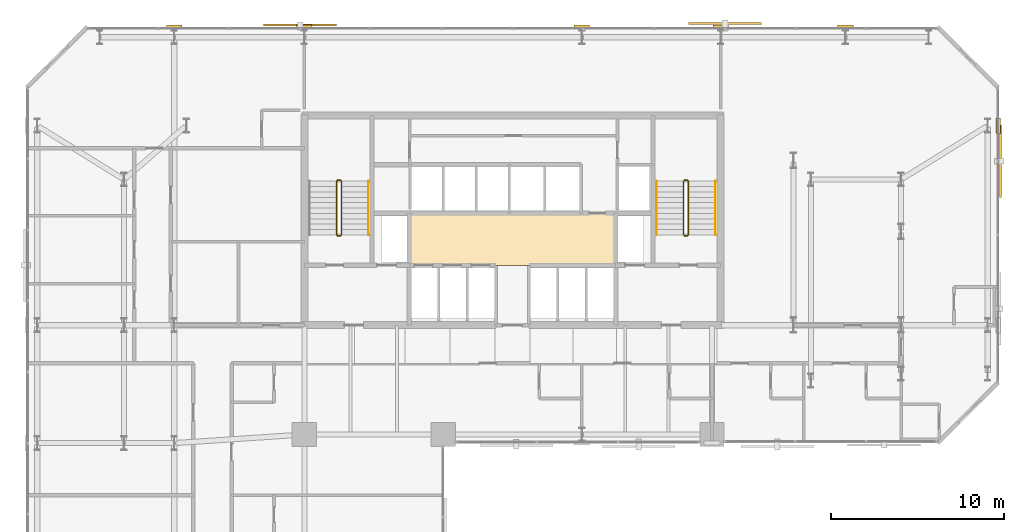
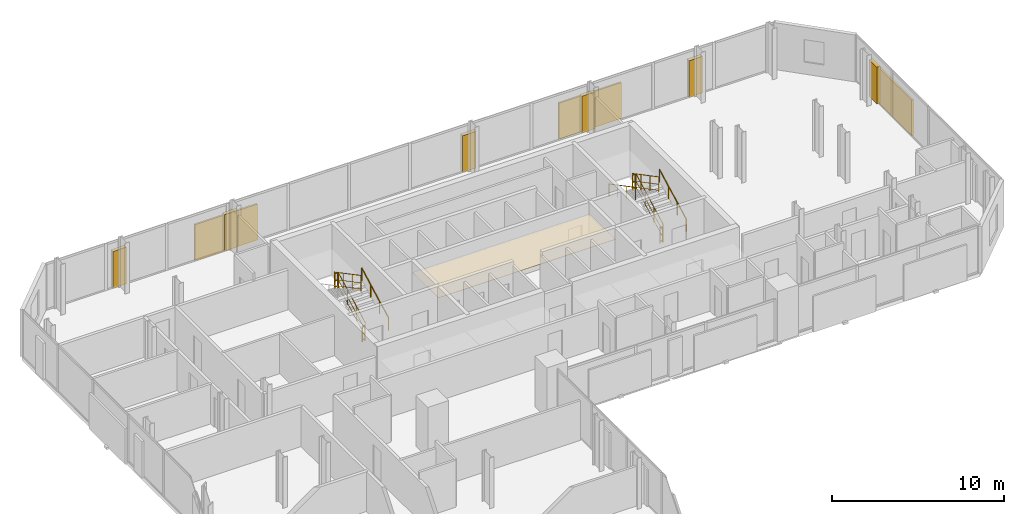
# One storey, part 32 of 32: 11 railings, 7 coverings, 3 shading devices.
"""IFC4 building model written with IfcOpenShell, lengths in metres."""

from ifc_helpers import new_model, si_unit, direction, frame, origin, origin_2d, place, context, subcontext, project, spatial, polyline, rectangle, circle, outline, extrude, material, layer, layer_set, type_object, element, save


model = new_model("IFC4")

# Units and contexts
model_context = context("Model", 3, precision=1e-05, world=origin(), true_north=direction((0.0, 1.0)))
body_context = subcontext(model_context, "Body", "Model", "MODEL_VIEW")
ifc_project = project(units=[si_unit("LENGTHUNIT", "METRE"), si_unit("AREAUNIT", "SQUARE_METRE"), si_unit("VOLUMEUNIT", "CUBIC_METRE"), si_unit("PLANEANGLEUNIT", "RADIAN"), si_unit("MASSUNIT", "GRAM", prefix="KILO")], contexts=[model_context])

# Site, building, storey
site_placement = place(None, origin())
site = spatial("IfcSite", under=ifc_project, at=site_placement, CompositionType="ELEMENT")
building_placement = place(site_placement, origin())
building = spatial("IfcBuilding", under=site, at=building_placement, Name="Catumbela Crestline Tower", CompositionType="ELEMENT")
storey_placement = place(building_placement, frame((0.0, 0.0, 61.8)))
storey = spatial("IfcBuildingStorey", under=building, at=storey_placement, Name="L15", CompositionType="ELEMENT", Elevation=61.8)

# Coverings
ifc_material_1 = material(Name="Mineral-fibre acoustic ceiling")
ifc_layer_1 = layer(ifc_material_1, 0.03, Name="Mineral-fibre acoustic ceiling")
ifc_layer_set_1 = layer_set([ifc_layer_1], Name="Mineral-fibre acoustic ceiling")
covering_type_1 = type_object("IfcCoveringType", Name="CC-AC", PredefinedType="CEILING", material=ifc_layer_set_1)
covering_placement = place(storey_placement, frame((0.0, 0.0, 2.65)))
element("IfcCovering", 1, at=covering_placement, inside=storey, type_object=covering_type_1, Name="L15 Lift Lobby Acoustic Ceiling", PredefinedType="CEILING", context=body_context, shape_type="SweptSolid", body=[
    extrude(outline(polyline([(22.05, 34.25), (33.95, 34.25), (33.95, 37.25), (22.05, 37.25), (22.05, 34.25)])), origin(), (0.0, 0.0, 1.0), 0.03),
])
ifc_material_2 = material(Name="Extruded terracotta ceramic", Category="masonry")
ifc_layer_2 = layer(ifc_material_2, 0.08, Name="Extruded terracotta ceramic")
ifc_layer_set_2 = layer_set([ifc_layer_2], Name="Extruded terracotta ceramic")
covering_type_2 = type_object("IfcCoveringType", Name="CC-TER", PredefinedType="CLADDING", material=ifc_layer_set_2)
for number, where, z_axis, x_axis, name in (
    (2, (56.0, 42.3, 0.0), (0.0, 0.0, 1.0), (0.0, 1.0, 0.0), "L15 Fluted Terracotta Column Cladding 70"),
    (3, (8.5, 48.0, 0.0), (0.0, 0.0, 1.0), (-1.0, 0.0, 0.0), "L15 Fluted Terracotta Column Cladding 71"),
    (4, (16.0, 48.0, 0.0), (0.0, 0.0, 1.0), (-1.0, 0.0, 0.0), "L15 Fluted Terracotta Column Cladding 72"),
    (5, (32.0, 48.0, 0.0), (0.0, 0.0, 1.0), (-1.0, 0.0, 0.0), "L15 Fluted Terracotta Column Cladding 73"),
    (6, (40.0, 48.0, 0.0), (0.0, 0.0, 1.0), (-1.0, 0.0, 0.0), "L15 Fluted Terracotta Column Cladding 74"),
    (7, (47.2, 48.0, 0.0), (0.0, 0.0, 1.0), (-1.0, 0.0, 0.0), "L15 Fluted Terracotta Column Cladding 75"),
):
    element("IfcCovering", number, at=place(storey_placement, frame(where, z_axis=z_axis, x_axis=x_axis)), inside=storey, type_object=covering_type_2, Name=name, PredefinedType="CLADDING", context=body_context, shape_type="SweptSolid", body=[
        extrude(rectangle(XDim=0.9, YDim=0.24, at=origin_2d()), origin(), (0.0, 0.0, 1.0), 2.6),
    ])

# Railings
ifc_material_3 = material(Name="Stainless steel EN 1.4401", Category="steel")
railing_type_1 = type_object("IfcRailingType", Name="RG-1100", PredefinedType="GUARDRAIL", material=ifc_material_3)
railing_1_placement = place(storey_placement, frame((18.14, 36.0, 0.1636)))
element("IfcRailing", 8, at=railing_1_placement, inside=storey, type_object=railing_type_1, Name="L15 ST-01 stair guard 1", PredefinedType="GUARDRAIL", context=body_context, shape_type="SweptSolid", body=[
    extrude(circle(Radius=0.024, at=origin_2d()), frame((0.0, 0.0, 1.076), z_axis=(0.0, 0.884350731049, 0.466823076222), x_axis=(-1.0, 0.0, 0.0)), (0.0, 0.0, 1.0), 3.5054),
    extrude(circle(Radius=0.0156, at=origin_2d()), frame((0.0, 0.0, 0.55), z_axis=(0.0, 0.884350731049, 0.466823076222), x_axis=(-1.0, 0.0, 0.0)), (0.0, 0.0, 1.0), 3.5054),
    extrude(circle(Radius=0.0156, at=origin_2d()), frame((0.0, 0.0, 0.12), z_axis=(0.0, 0.884350731049, 0.466823076222), x_axis=(-1.0, 0.0, 0.0)), (0.0, 0.0, 1.0), 3.5054),
    extrude(circle(Radius=0.021, at=origin_2d()), origin(), (0.0, 0.0, 1.0), 1.052),
    extrude(circle(Radius=0.021, at=origin_2d()), frame((0.0, 1.0333, 0.5455)), (0.0, 0.0, 1.0), 1.052),
    extrude(circle(Radius=0.021, at=origin_2d()), frame((0.0, 2.0667, 1.0909)), (0.0, 0.0, 1.0), 1.052),
    extrude(circle(Radius=0.021, at=origin_2d()), frame((0.0, 3.1, 1.6364)), (0.0, 0.0, 1.0), 1.052),
])
railing_2_placement = place(storey_placement, frame((18.09, 39.15, 1.8)))
element("IfcRailing", 9, at=railing_2_placement, inside=storey, type_object=railing_type_1, Name="L15 ST-01 stair guard 2", PredefinedType="GUARDRAIL", context=body_context, shape_type="SweptSolid", body=[
    extrude(circle(Radius=0.024, at=origin_2d()), frame((0.0, 0.0, 1.076), z_axis=(-1.0, 0.0, 0.0), x_axis=(0.0, -1.0, 0.0)), (0.0, 0.0, 1.0), 0.18),
    extrude(circle(Radius=0.0156, at=origin_2d()), frame((0.0, 0.0, 0.55), z_axis=(-1.0, 0.0, 0.0), x_axis=(0.0, -1.0, 0.0)), (0.0, 0.0, 1.0), 0.18),
    extrude(circle(Radius=0.0156, at=origin_2d()), frame((0.0, 0.0, 0.12), z_axis=(-1.0, 0.0, 0.0), x_axis=(0.0, -1.0, 0.0)), (0.0, 0.0, 1.0), 0.18),
    extrude(circle(Radius=0.021, at=origin_2d()), origin(), (0.0, 0.0, 1.0), 1.052),
    extrude(circle(Radius=0.021, at=origin_2d()), frame((-0.18, 0.0, 0.0)), (0.0, 0.0, 1.0), 1.052),
])
railing_3_placement = place(storey_placement, frame((17.86, 39.1, 1.9636)))
element("IfcRailing", 10, at=railing_3_placement, inside=storey, type_object=railing_type_1, Name="L15 ST-01 stair guard 3", PredefinedType="GUARDRAIL", context=body_context, shape_type="SweptSolid", body=[
    extrude(circle(Radius=0.024, at=origin_2d()), frame((0.0, 0.0, 1.076), z_axis=(0.0, -0.884350731049, 0.466823076222), x_axis=(1.0, 0.0, 0.0)), (0.0, 0.0, 1.0), 3.5054),
    extrude(circle(Radius=0.0156, at=origin_2d()), frame((0.0, 0.0, 0.55), z_axis=(0.0, -0.884350731049, 0.466823076222), x_axis=(1.0, 0.0, 0.0)), (0.0, 0.0, 1.0), 3.5054),
    extrude(circle(Radius=0.0156, at=origin_2d()), frame((0.0, 0.0, 0.12), z_axis=(0.0, -0.884350731049, 0.466823076222), x_axis=(1.0, 0.0, 0.0)), (0.0, 0.0, 1.0), 3.5054),
    extrude(circle(Radius=0.021, at=origin_2d()), origin(), (0.0, 0.0, 1.0), 1.052),
    extrude(circle(Radius=0.021, at=origin_2d()), frame((0.0, -1.0333, 0.5455)), (0.0, 0.0, 1.0), 1.052),
    extrude(circle(Radius=0.021, at=origin_2d()), frame((0.0, -2.0667, 1.0909)), (0.0, 0.0, 1.0), 1.052),
    extrude(circle(Radius=0.021, at=origin_2d()), frame((0.0, -3.1, 1.6364)), (0.0, 0.0, 1.0), 1.052),
])
railing_4_placement = place(storey_placement, frame((18.09, 35.95, 0.0)))
element("IfcRailing", 11, at=railing_4_placement, inside=storey, type_object=railing_type_1, Name="L15 ST-01 stair guard 4", PredefinedType="GUARDRAIL", context=body_context, shape_type="SweptSolid", body=[
    extrude(circle(Radius=0.024, at=origin_2d()), frame((0.0, 0.0, 1.076), z_axis=(-1.0, 0.0, 0.0), x_axis=(0.0, -1.0, 0.0)), (0.0, 0.0, 1.0), 0.18),
    extrude(circle(Radius=0.0156, at=origin_2d()), frame((0.0, 0.0, 0.55), z_axis=(-1.0, 0.0, 0.0), x_axis=(0.0, -1.0, 0.0)), (0.0, 0.0, 1.0), 0.18),
    extrude(circle(Radius=0.0156, at=origin_2d()), frame((0.0, 0.0, 0.12), z_axis=(-1.0, 0.0, 0.0), x_axis=(0.0, -1.0, 0.0)), (0.0, 0.0, 1.0), 0.18),
    extrude(circle(Radius=0.021, at=origin_2d()), origin(), (0.0, 0.0, 1.0), 1.052),
    extrude(circle(Radius=0.021, at=origin_2d()), frame((-0.18, 0.0, 0.0)), (0.0, 0.0, 1.0), 1.052),
])
railing_5_placement = place(storey_placement, frame((38.14, 36.0, 0.1636)))
element("IfcRailing", 12, at=railing_5_placement, inside=storey, type_object=railing_type_1, Name="L15 ST-02 stair guard 1", PredefinedType="GUARDRAIL", context=body_context, shape_type="SweptSolid", body=[
    extrude(circle(Radius=0.024, at=origin_2d()), frame((0.0, 0.0, 1.076), z_axis=(0.0, 0.884350731049, 0.466823076222), x_axis=(-1.0, 0.0, 0.0)), (0.0, 0.0, 1.0), 3.5054),
    extrude(circle(Radius=0.0156, at=origin_2d()), frame((0.0, 0.0, 0.55), z_axis=(0.0, 0.884350731049, 0.466823076222), x_axis=(-1.0, 0.0, 0.0)), (0.0, 0.0, 1.0), 3.5054),
    extrude(circle(Radius=0.0156, at=origin_2d()), frame((0.0, 0.0, 0.12), z_axis=(0.0, 0.884350731049, 0.466823076222), x_axis=(-1.0, 0.0, 0.0)), (0.0, 0.0, 1.0), 3.5054),
    extrude(circle(Radius=0.021, at=origin_2d()), origin(), (0.0, 0.0, 1.0), 1.052),
    extrude(circle(Radius=0.021, at=origin_2d()), frame((0.0, 1.0333, 0.5455)), (0.0, 0.0, 1.0), 1.052),
    extrude(circle(Radius=0.021, at=origin_2d()), frame((0.0, 2.0667, 1.0909)), (0.0, 0.0, 1.0), 1.052),
    extrude(circle(Radius=0.021, at=origin_2d()), frame((0.0, 3.1, 1.6364)), (0.0, 0.0, 1.0), 1.052),
])
railing_6_placement = place(storey_placement, frame((38.09, 39.15, 1.8)))
element("IfcRailing", 13, at=railing_6_placement, inside=storey, type_object=railing_type_1, Name="L15 ST-02 stair guard 2", PredefinedType="GUARDRAIL", context=body_context, shape_type="SweptSolid", body=[
    extrude(circle(Radius=0.024, at=origin_2d()), frame((0.0, 0.0, 1.076), z_axis=(-1.0, 0.0, 0.0), x_axis=(0.0, -1.0, 0.0)), (0.0, 0.0, 1.0), 0.18),
    extrude(circle(Radius=0.0156, at=origin_2d()), frame((0.0, 0.0, 0.55), z_axis=(-1.0, 0.0, 0.0), x_axis=(0.0, -1.0, 0.0)), (0.0, 0.0, 1.0), 0.18),
    extrude(circle(Radius=0.0156, at=origin_2d()), frame((0.0, 0.0, 0.12), z_axis=(-1.0, 0.0, 0.0), x_axis=(0.0, -1.0, 0.0)), (0.0, 0.0, 1.0), 0.18),
    extrude(circle(Radius=0.021, at=origin_2d()), origin(), (0.0, 0.0, 1.0), 1.052),
    extrude(circle(Radius=0.021, at=origin_2d()), frame((-0.18, 0.0, 0.0)), (0.0, 0.0, 1.0), 1.052),
])
railing_7_placement = place(storey_placement, frame((37.86, 39.1, 1.9636)))
element("IfcRailing", 14, at=railing_7_placement, inside=storey, type_object=railing_type_1, Name="L15 ST-02 stair guard 3", PredefinedType="GUARDRAIL", context=body_context, shape_type="SweptSolid", body=[
    extrude(circle(Radius=0.024, at=origin_2d()), frame((0.0, 0.0, 1.076), z_axis=(0.0, -0.884350731049, 0.466823076222), x_axis=(1.0, 0.0, 0.0)), (0.0, 0.0, 1.0), 3.5054),
    extrude(circle(Radius=0.0156, at=origin_2d()), frame((0.0, 0.0, 0.55), z_axis=(0.0, -0.884350731049, 0.466823076222), x_axis=(1.0, 0.0, 0.0)), (0.0, 0.0, 1.0), 3.5054),
    extrude(circle(Radius=0.0156, at=origin_2d()), frame((0.0, 0.0, 0.12), z_axis=(0.0, -0.884350731049, 0.466823076222), x_axis=(1.0, 0.0, 0.0)), (0.0, 0.0, 1.0), 3.5054),
    extrude(circle(Radius=0.021, at=origin_2d()), origin(), (0.0, 0.0, 1.0), 1.052),
    extrude(circle(Radius=0.021, at=origin_2d()), frame((0.0, -1.0333, 0.5455)), (0.0, 0.0, 1.0), 1.052),
    extrude(circle(Radius=0.021, at=origin_2d()), frame((0.0, -2.0667, 1.0909)), (0.0, 0.0, 1.0), 1.052),
    extrude(circle(Radius=0.021, at=origin_2d()), frame((0.0, -3.1, 1.6364)), (0.0, 0.0, 1.0), 1.052),
])
railing_8_placement = place(storey_placement, frame((38.09, 35.95, 0.0)))
element("IfcRailing", 15, at=railing_8_placement, inside=storey, type_object=railing_type_1, Name="L15 ST-02 stair guard 4", PredefinedType="GUARDRAIL", context=body_context, shape_type="SweptSolid", body=[
    extrude(circle(Radius=0.024, at=origin_2d()), frame((0.0, 0.0, 1.076), z_axis=(-1.0, 0.0, 0.0), x_axis=(0.0, -1.0, 0.0)), (0.0, 0.0, 1.0), 0.18),
    extrude(circle(Radius=0.0156, at=origin_2d()), frame((0.0, 0.0, 0.55), z_axis=(-1.0, 0.0, 0.0), x_axis=(0.0, -1.0, 0.0)), (0.0, 0.0, 1.0), 0.18),
    extrude(circle(Radius=0.0156, at=origin_2d()), frame((0.0, 0.0, 0.12), z_axis=(-1.0, 0.0, 0.0), x_axis=(0.0, -1.0, 0.0)), (0.0, 0.0, 1.0), 0.18),
    extrude(circle(Radius=0.021, at=origin_2d()), origin(), (0.0, 0.0, 1.0), 1.052),
    extrude(circle(Radius=0.021, at=origin_2d()), frame((-0.18, 0.0, 0.0)), (0.0, 0.0, 1.0), 1.052),
])
railing_type_2 = type_object("IfcRailingType", Name="RH-0900", PredefinedType="HANDRAIL", material=ifc_material_3)
for number, where, name in (
    (16, (19.7, 36.0, 0.1636), "L15 ST-01 stair handrail 1"),
    (17, (39.7, 36.0, 0.1636), "L15 ST-02 stair handrail 1"),
):
    element("IfcRailing", number, at=place(storey_placement, frame(where)), inside=storey, type_object=railing_type_2, Name=name, PredefinedType="HANDRAIL", context=body_context, shape_type="SweptSolid", body=[
        extrude(circle(Radius=0.024, at=origin_2d()), frame((0.0, 0.0, 0.876), z_axis=(0.0, 0.884350731049, 0.466823076222), x_axis=(-1.0, 0.0, 0.0)), (0.0, 0.0, 1.0), 3.5054),
        extrude(circle(Radius=0.021, at=origin_2d()), origin(), (0.0, 0.0, 1.0), 0.852),
        extrude(circle(Radius=0.021, at=origin_2d()), frame((0.0, 1.0333, 0.5455)), (0.0, 0.0, 1.0), 0.852),
        extrude(circle(Radius=0.021, at=origin_2d()), frame((0.0, 2.0667, 1.0909)), (0.0, 0.0, 1.0), 0.852),
        extrude(circle(Radius=0.021, at=origin_2d()), frame((0.0, 3.1, 1.6364)), (0.0, 0.0, 1.0), 0.852),
    ])
railing_9_placement = place(storey_placement, frame((36.3, 39.1, 1.9636)))
element("IfcRailing", 18, at=railing_9_placement, inside=storey, type_object=railing_type_2, Name="L15 ST-02 stair handrail 2", PredefinedType="HANDRAIL", context=body_context, shape_type="SweptSolid", body=[
    extrude(circle(Radius=0.024, at=origin_2d()), frame((0.0, 0.0, 0.876), z_axis=(0.0, -0.884350731049, 0.466823076222), x_axis=(1.0, 0.0, 0.0)), (0.0, 0.0, 1.0), 3.5054),
    extrude(circle(Radius=0.021, at=origin_2d()), origin(), (0.0, 0.0, 1.0), 0.852),
    extrude(circle(Radius=0.021, at=origin_2d()), frame((0.0, -1.0333, 0.5455)), (0.0, 0.0, 1.0), 0.852),
    extrude(circle(Radius=0.021, at=origin_2d()), frame((0.0, -2.0667, 1.0909)), (0.0, 0.0, 1.0), 0.852),
    extrude(circle(Radius=0.021, at=origin_2d()), frame((0.0, -3.1, 1.6364)), (0.0, 0.0, 1.0), 0.852),
])

# Shading devices
shading_device_type_1 = type_object("IfcShadingDeviceType", Name="ST-180", PredefinedType="USERDEFINED", material=ifc_material_2)
shading_device_1_placement = place(storey_placement, frame((15.75, 48.099, -0.1), z_axis=(0.0, 0.0, 1.0), x_axis=(-1.0, 0.0, 0.0)))
element("IfcShadingDevice", 19, at=shading_device_1_placement, inside=storey, type_object=shading_device_type_1, Name="L15 Perforated Terracotta Solar Screen 152 (180 mm)", ObjectType="SCREEN", PredefinedType="USERDEFINED", context=body_context, shape_type="SweptSolid", body=[
    extrude(rectangle(XDim=4.2, YDim=0.12, at=origin_2d()), origin(), (0.0, 0.0, 1.0), 2.55),
])
shading_device_type_2 = type_object("IfcShadingDeviceType", Name="ST-260", PredefinedType="USERDEFINED", material=ifc_material_2)
shading_device_2_placement = place(storey_placement, frame((56.143, 40.25, -0.1), z_axis=(0.0, 0.0, 1.0), x_axis=(0.0, 1.0, 0.0)))
element("IfcShadingDevice", 20, at=shading_device_2_placement, inside=storey, type_object=shading_device_type_2, Name="L15 Perforated Terracotta Solar Screen 150 (260 mm)", ObjectType="SCREEN", PredefinedType="USERDEFINED", context=body_context, shape_type="SweptSolid", body=[
    extrude(rectangle(XDim=4.2, YDim=0.12, at=origin_2d()), origin(), (0.0, 0.0, 1.0), 2.55),
])
shading_device_type_3 = type_object("IfcShadingDeviceType", Name="ST-340", PredefinedType="USERDEFINED", material=ifc_material_2)
shading_device_3_placement = place(storey_placement, frame((40.25, 48.187, -0.1), z_axis=(0.0, 0.0, 1.0), x_axis=(-1.0, 0.0, 0.0)))
element("IfcShadingDevice", 21, at=shading_device_3_placement, inside=storey, type_object=shading_device_type_3, Name="L15 Perforated Terracotta Solar Screen 151 (340 mm)", ObjectType="SCREEN", PredefinedType="USERDEFINED", context=body_context, shape_type="SweptSolid", body=[
    extrude(rectangle(XDim=4.2, YDim=0.12, at=origin_2d()), origin(), (0.0, 0.0, 1.0), 2.55),
])

save(model, "model.ifc")
